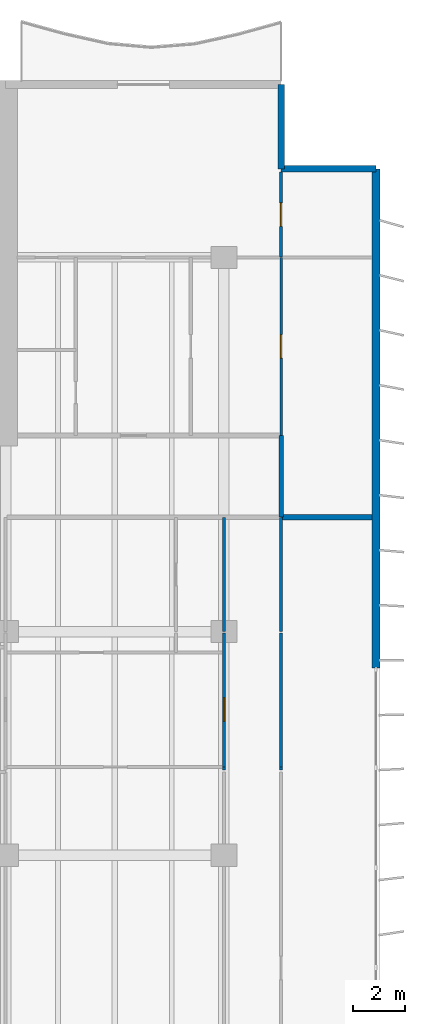
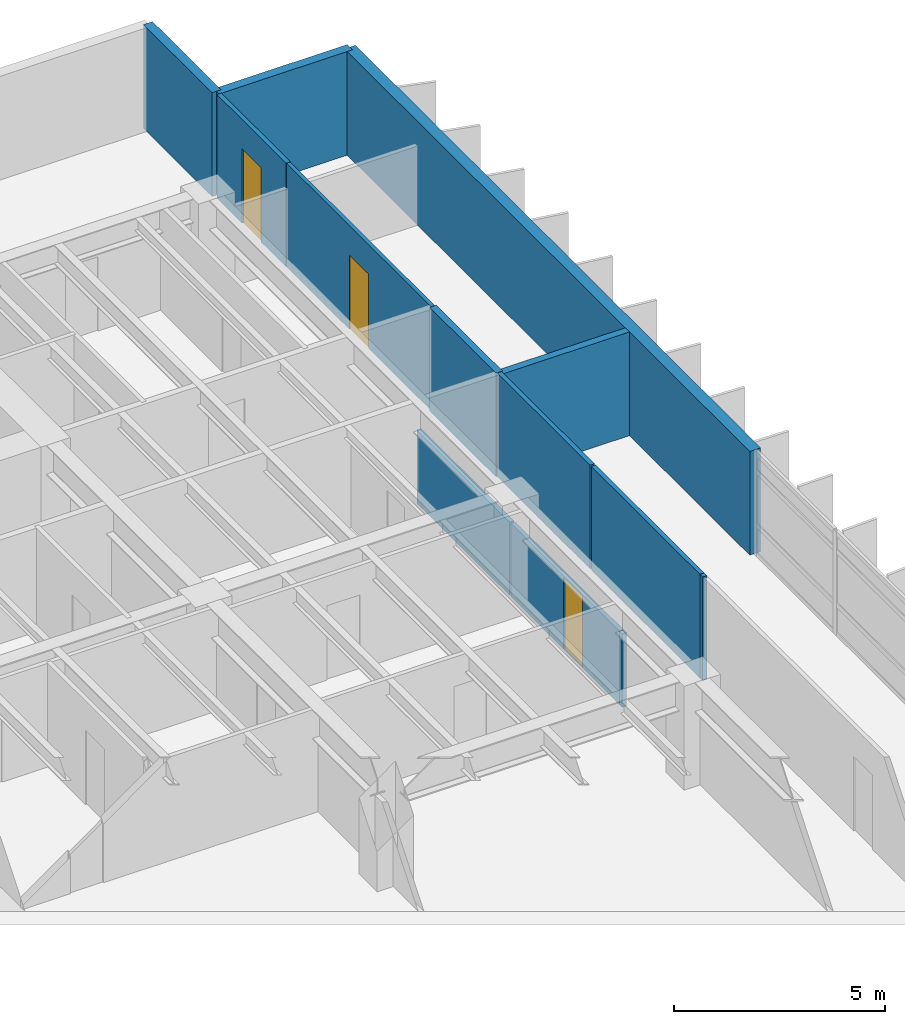
# One storey, part 14 of 19: 13 walls, 3 doors, 3 openings.
"""IFC4 building model written with IfcOpenShell, lengths in metres."""

from ifc_helpers import new_model, si_unit, direction, frame, frame_2d, origin, place, context, subcontext, project, spatial, rectangle, extrude, material, layer, layer_set, type_object, element, fill, save


model = new_model("IFC4")

# Units and contexts
model_context = context("Model", 3, precision=1e-05, world=origin(), true_north=direction((0.0, 1.0)))
body_context = subcontext(model_context, "Body", "Model", "MODEL_VIEW")
ifc_project = project(units=[si_unit("LENGTHUNIT", "METRE"), si_unit("AREAUNIT", "SQUARE_METRE"), si_unit("VOLUMEUNIT", "CUBIC_METRE"), si_unit("PLANEANGLEUNIT", "RADIAN"), si_unit("MASSUNIT", "GRAM", prefix="KILO")], contexts=[model_context])

# Site, building, storey
site_placement = place(None, origin())
site = spatial("IfcSite", under=ifc_project, at=site_placement, CompositionType="ELEMENT")
building_placement = place(site_placement, origin())
building = spatial("IfcBuilding", under=site, at=building_placement, Name="Caelmar Bay Residences", CompositionType="ELEMENT")
storey_placement = place(building_placement, frame((0.0, 0.0, 94.5)))
storey = spatial("IfcBuildingStorey", under=building, at=storey_placement, Name="L25", CompositionType="ELEMENT", Elevation=94.5)

# Walls
ifc_material_1 = material(Name="Double-stud acoustic fire-rated gypsum partition 180 mm")
ifc_layer_1 = layer(ifc_material_1, 0.179931640625)
ifc_layer_set_1 = layer_set([ifc_layer_1], Name="Double-stud acoustic fire-rated gypsum partition 180 mm")
wall_type_1 = type_object("IfcWallType", Name="W-COR-200", PredefinedType="PARTITIONING", material=ifc_layer_set_1)
wall_1_placement = place(storey_placement, frame((70.10009765625, 33.804931640625, 0.0), z_axis=(0.0, 0.0, 1.0), x_axis=(0.0, 1.0, 0.0)))
element("IfcWall", 1, at=wall_1_placement, inside=storey, type_object=wall_type_1, Name="L25 Partition Wall V096", PredefinedType="PARTITIONING", context=body_context, shape_type="SweptSolid", body=[
    extrude(rectangle(XDim=3.14501953125, YDim=0.179931640625, at=frame_2d((1.572509765625, 0.0))), origin(), (0.0, 0.0, 1.0), 3.0),
])
ifc_material_2 = material(Name="Precast concrete f'c 40 MPa (6,000 psi)", Category="concrete")
ifc_layer_2 = layer(ifc_material_2, 0.25)
ifc_layer_set_2 = layer_set([ifc_layer_2], Name="Precast concrete f'c 40 MPa (6,000 psi)")
wall_type_2 = type_object("IfcWallType", Name="W-EXT-250", PredefinedType="ELEMENTEDWALL", material=ifc_layer_set_2)
wall_2_placement = place(storey_placement, frame((70.10009765625, 50.449951171875, 0.0), z_axis=(0.0, 0.0, 1.0), x_axis=(0.0, -1.0, 0.0)))
element("IfcWall", 2, at=wall_2_placement, inside=storey, type_object=wall_type_2, Name="L25 NNE-V Notch Wall", PredefinedType="ELEMENTEDWALL", context=body_context, shape_type="SweptSolid", body=[
    extrude(rectangle(XDim=3.25, YDim=0.25, at=frame_2d((1.625, 0.0))), origin(), (0.0, 0.0, 1.0), 3.0),
])
wall_3_placement = place(storey_placement, frame((70.10009765625, 47.199951171875, 0.0), z_axis=(0.0, 0.0, 1.0), x_axis=(1.0, 0.0, 0.0)))
element("IfcWall", 3, at=wall_3_placement, inside=storey, type_object=wall_type_2, Name="L25 NNE-H Notch Wall", PredefinedType="ELEMENTEDWALL", context=body_context, shape_type="SweptSolid", body=[
    extrude(rectangle(XDim=3.64990234375, YDim=0.25, at=frame_2d((1.824951171875, 0.0))), origin(), (0.0, 0.0, 1.0), 3.0),
])
ifc_layer_3 = layer(ifc_material_2, 0.300048828125)
ifc_layer_set_3 = layer_set([ifc_layer_3], Name="Precast concrete f'c 40 MPa (6,000 psi)")
wall_type_3 = type_object("IfcWallType", Name="W-EXT-300", PredefinedType="STANDARD", material=ifc_layer_set_3)
wall_4_placement = place(storey_placement, frame((73.75, 47.199951171875, 0.0), z_axis=(0.0, 0.0, 1.0), x_axis=(0.0, -1.0, 0.0)))
element("IfcWall", 4, at=wall_4_placement, inside=storey, type_object=wall_type_3, Name="L25 East Rear Exterior Wall", PredefinedType="STANDARD", context=body_context, shape_type="SweptSolid", body=[
    extrude(rectangle(XDim=19.199951171875, YDim=0.300048828125, at=frame_2d((9.60009765625, 0.0))), origin(), (0.0, 0.0, 1.0), 3.0),
])

# Wall, opening, door
ifc_material_3 = material(Name="Anodised bronze framed acoustic sliding study partition 100 mm")
ifc_layer_4 = layer(ifc_material_3, 0.10009765625)
ifc_layer_set_4 = layer_set([ifc_layer_4], Name="Anodised bronze framed acoustic sliding study partition 100 mm")
wall_type_4 = type_object("IfcWallType", Name="W-MOV-100", PredefinedType="MOVABLE", material=ifc_layer_set_4)
wall_5_placement = place(storey_placement, frame((70.10009765625, 36.955078125, 0.0), z_axis=(0.0, 0.0, 1.0), x_axis=(0.0, 1.0, 0.0)))
wall_5 = element("IfcWall", 5, at=wall_5_placement, inside=storey, type_object=wall_type_4, Name="L25 Partition Wall V097", PredefinedType="MOVABLE", context=body_context, shape_type="SweptSolid", body=[
    extrude(rectangle(XDim=6.844970703125, YDim=0.10009765625, at=frame_2d((3.42236328125, 0.0))), origin(), (0.0, 0.0, 1.0), 3.0),
])
opening_1_placement = place(wall_5_placement, frame((2.972412109375, 0.0, 0.0)))
opening_1 = element("IfcOpeningElement", 6, at=opening_1_placement, cuts=wall_5, Name="Opening D-L25-176", PredefinedType="OPENING", context=body_context, shape_type="SweptSolid", body=[
    extrude(rectangle(XDim=0.89990234375, YDim=2.14990234375, at=frame_2d((0.449951171875, 1.074951171875))), frame((0.0, 0.06005859375, 0.0), z_axis=(0.0, -1.0, 0.0), x_axis=(1.0, 0.0, 0.0)), (0.0, 0.0, 1.0), 0.1201171875),
])
ifc_material_4 = material(Name="Solid walnut timber interior door leaf and frame", Category="wood")
ifc_layer_5 = layer(ifc_material_4, 0.050048828125)
ifc_layer_set_5 = layer_set([ifc_layer_5], Name="Solid walnut timber interior door leaf and frame")
door_type = type_object("IfcDoorType", Name="D-ROOM-900", OperationType="NOTDEFINED", PredefinedType="DOOR", material=ifc_layer_set_5)
door_1_placement = place(opening_1_placement, origin())
door_1 = element("IfcDoor", 7, at=door_1_placement, inside=storey, type_object=door_type, Name="L25 Residence EA Sun Study Door", OperationType="SINGLE_SWING_LEFT", OverallHeight=2.14990234375, OverallWidth=0.89990234375, PredefinedType="DOOR", context=body_context, shape_type="SweptSolid", body=[
    extrude(rectangle(XDim=0.89990234375, YDim=2.14990234375, at=frame_2d((0.449951171875, 1.074951171875))), frame((0.0, 0.02490234375, 0.0), z_axis=(0.0, -1.0, 0.0), x_axis=(1.0, 0.0, 0.0)), (0.0, 0.0, 1.0), 0.050048828125),
])
fill(opening_1, door_1)

# Wall
ifc_material_5 = material(Name="Acoustic metal-stud gypsum partition 120 mm")
ifc_layer_6 = layer(ifc_material_5, 0.1201171875)
ifc_layer_set_6 = layer_set([ifc_layer_6], Name="Acoustic metal-stud gypsum partition 120 mm")
wall_type_5 = type_object("IfcWallType", Name="W-PRT-120", PredefinedType="PARTITIONING", material=ifc_layer_set_6)
wall_6_placement = place(storey_placement, frame((67.89990234375, 24.070068359375, 0.0), z_axis=(0.0, 0.0, 1.0), x_axis=(0.0, 1.0, 0.0)))
element("IfcWall", 8, at=wall_6_placement, inside=storey, type_object=wall_type_5, Name="L25 Partition Wall V089", PredefinedType="PARTITIONING", context=body_context, shape_type="SweptSolid", body=[
    extrude(rectangle(XDim=0.119873046875, YDim=0.1201171875, at=frame_2d((0.06005859375, 0.0))), origin(), (0.0, 0.0, 1.0), 2.1240234375),
])

# Wall, opening, door
wall_7_placement = place(storey_placement, frame((67.89990234375, 24.199951171875, 0.0), z_axis=(0.0, 0.0, 1.0), x_axis=(0.0, 1.0, 0.0)))
wall_7 = element("IfcWall", 9, at=wall_7_placement, inside=storey, type_object=wall_type_5, Name="L25 Partition Wall V090", PredefinedType="PARTITIONING", context=body_context, shape_type="SweptSolid", body=[
    extrude(rectangle(XDim=5.14013671875, YDim=0.1201171875, at=frame_2d((2.570068359375, 0.0))), origin(), (0.0, 0.0, 1.0), 2.1240234375),
])
opening_2_placement = place(wall_7_placement, frame((1.75, 0.0, 0.0)))
opening_2 = element("IfcOpeningElement", 10, at=opening_2_placement, cuts=wall_7, Name="Opening D-L25-161", PredefinedType="OPENING", context=body_context, shape_type="SweptSolid", body=[
    extrude(rectangle(XDim=0.89990234375, YDim=2.073974609375, at=frame_2d((0.449951171875, 1.037109375))), frame((0.0, 0.070068359375, 0.0), z_axis=(0.0, -1.0, 0.0), x_axis=(1.0, 0.0, 0.0)), (0.0, 0.0, 1.0), 0.14013671875),
])
door_2_placement = place(opening_2_placement, origin())
door_2 = element("IfcDoor", 11, at=door_2_placement, inside=storey, type_object=door_type, Name="L25 Residence 05 East Apartment Hall Door", OperationType="SINGLE_SWING_RIGHT", OverallHeight=2.073974609375, OverallWidth=0.89990234375, PredefinedType="DOOR", context=body_context, shape_type="SweptSolid", body=[
    extrude(rectangle(XDim=0.89990234375, YDim=2.073974609375, at=frame_2d((0.449951171875, 1.037109375))), frame((0.0, 0.02490234375, 0.0), z_axis=(0.0, -1.0, 0.0), x_axis=(1.0, 0.0, 0.0)), (0.0, 0.0, 1.0), 0.050048828125),
])
fill(opening_2, door_2)

# Walls
wall_8_placement = place(storey_placement, frame((67.89990234375, 29.39990234375, 0.0), z_axis=(0.0, 0.0, 1.0), x_axis=(0.0, 1.0, 0.0)))
element("IfcWall", 12, at=wall_8_placement, inside=storey, type_object=wall_type_5, Name="L25 Partition Wall V091", PredefinedType="PARTITIONING", context=body_context, shape_type="SweptSolid", body=[
    extrude(rectangle(XDim=4.400146484375, YDim=0.1201171875, at=frame_2d((2.2001953125, 0.0))), origin(), (0.0, 0.0, 1.0), 2.1240234375),
])
wall_9_placement = place(storey_placement, frame((70.10009765625, 24.070068359375, 0.0), z_axis=(0.0, 0.0, 1.0), x_axis=(0.0, 1.0, 0.0)))
element("IfcWall", 13, at=wall_9_placement, inside=storey, type_object=wall_type_5, Name="L25 Partition Wall V093", PredefinedType="PARTITIONING", context=body_context, shape_type="SweptSolid", body=[
    extrude(rectangle(XDim=0.119873046875, YDim=0.1201171875, at=frame_2d((0.06005859375, 0.0))), origin(), (0.0, 0.0, 1.0), 3.0),
])
wall_10_placement = place(storey_placement, frame((70.10009765625, 24.199951171875, 0.0), z_axis=(0.0, 0.0, 1.0), x_axis=(0.0, 1.0, 0.0)))
element("IfcWall", 14, at=wall_10_placement, inside=storey, type_object=wall_type_5, Name="L25 Partition Wall V094", PredefinedType="PARTITIONING", context=body_context, shape_type="SweptSolid", body=[
    extrude(rectangle(XDim=5.14013671875, YDim=0.1201171875, at=frame_2d((2.570068359375, 0.0))), origin(), (0.0, 0.0, 1.0), 3.0),
])
wall_11_placement = place(storey_placement, frame((70.10009765625, 29.39990234375, 0.0), z_axis=(0.0, 0.0, 1.0), x_axis=(0.0, 1.0, 0.0)))
element("IfcWall", 15, at=wall_11_placement, inside=storey, type_object=wall_type_5, Name="L25 Partition Wall V095", PredefinedType="PARTITIONING", context=body_context, shape_type="SweptSolid", body=[
    extrude(rectangle(XDim=4.400146484375, YDim=0.1201171875, at=frame_2d((2.2001953125, 0.0))), origin(), (0.0, 0.0, 1.0), 3.0),
])

# Wall, opening, door
wall_12_placement = place(storey_placement, frame((70.10009765625, 43.804931640625, 0.0), z_axis=(0.0, 0.0, 1.0), x_axis=(0.0, 1.0, 0.0)))
wall_12 = element("IfcWall", 16, at=wall_12_placement, inside=storey, type_object=wall_type_5, Name="L25 Partition Wall V098", PredefinedType="PARTITIONING", context=body_context, shape_type="SweptSolid", body=[
    extrude(rectangle(XDim=3.275146484375, YDim=0.1201171875, at=frame_2d((1.6376953125, 0.0))), origin(), (0.0, 0.0, 1.0), 3.0),
])
opening_3_placement = place(wall_12_placement, frame((1.1875, 0.0, 0.0)))
opening_3 = element("IfcOpeningElement", 17, at=opening_3_placement, cuts=wall_12, Name="Opening D-L25-177", PredefinedType="OPENING", context=body_context, shape_type="SweptSolid", body=[
    extrude(rectangle(XDim=0.89990234375, YDim=2.14990234375, at=frame_2d((0.449951171875, 1.074951171875))), frame((0.0, 0.070068359375, 0.0), z_axis=(0.0, -1.0, 0.0), x_axis=(1.0, 0.0, 0.0)), (0.0, 0.0, 1.0), 0.14013671875),
])
door_3_placement = place(opening_3_placement, origin())
door_3 = element("IfcDoor", 18, at=door_3_placement, inside=storey, type_object=door_type, Name="L25 Residence EA North Sitting Alcove Door", OperationType="SINGLE_SWING_RIGHT", OverallHeight=2.14990234375, OverallWidth=0.89990234375, PredefinedType="DOOR", context=body_context, shape_type="SweptSolid", body=[
    extrude(rectangle(XDim=0.89990234375, YDim=2.14990234375, at=frame_2d((0.449951171875, 1.074951171875))), frame((0.0, 0.02490234375, 0.0), z_axis=(0.0, -1.0, 0.0), x_axis=(1.0, 0.0, 0.0)), (0.0, 0.0, 1.0), 0.050048828125),
])
fill(opening_3, door_3)

# Wall
ifc_material_6 = material(Name="Acoustic twin-stud fire-rated inter-tenancy partition 200 mm")
ifc_layer_7 = layer(ifc_material_6, 0.199951171875)
ifc_layer_set_7 = layer_set([ifc_layer_7], Name="Acoustic twin-stud fire-rated inter-tenancy partition 200 mm")
wall_type_6 = type_object("IfcWallType", Name="W-PTY-200", PredefinedType="PARTITIONING", material=ifc_layer_set_7)
wall_13_placement = place(storey_placement, frame((70.10498046875, 33.800048828125, 0.0), z_axis=(0.0, 0.0, 1.0), x_axis=(1.0, 0.0, 0.0)))
element("IfcWall", 19, at=wall_13_placement, inside=storey, type_object=wall_type_6, Name="L25 Partition Wall H122", PredefinedType="PARTITIONING", context=body_context, shape_type="SweptSolid", body=[
    extrude(rectangle(XDim=3.5, YDim=0.199951171875, at=frame_2d((1.75, 0.0))), origin(), (0.0, 0.0, 1.0), 3.0),
])

save(model, "model.ifc")
